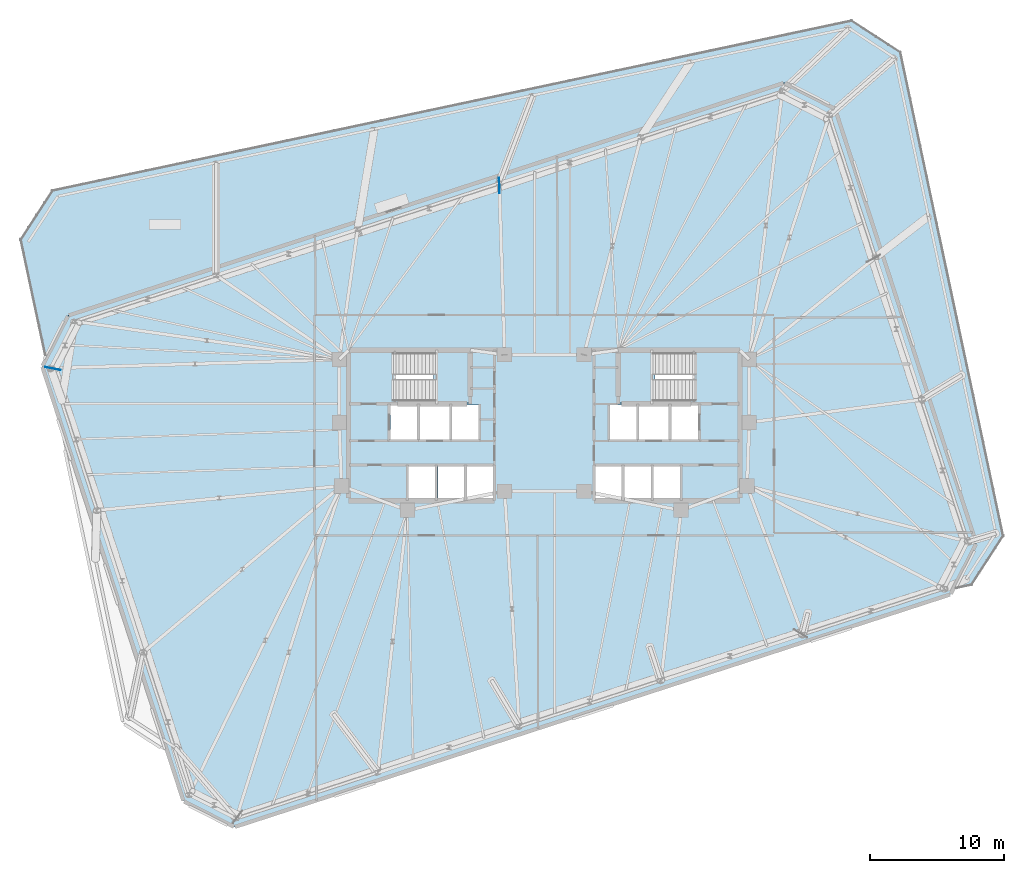
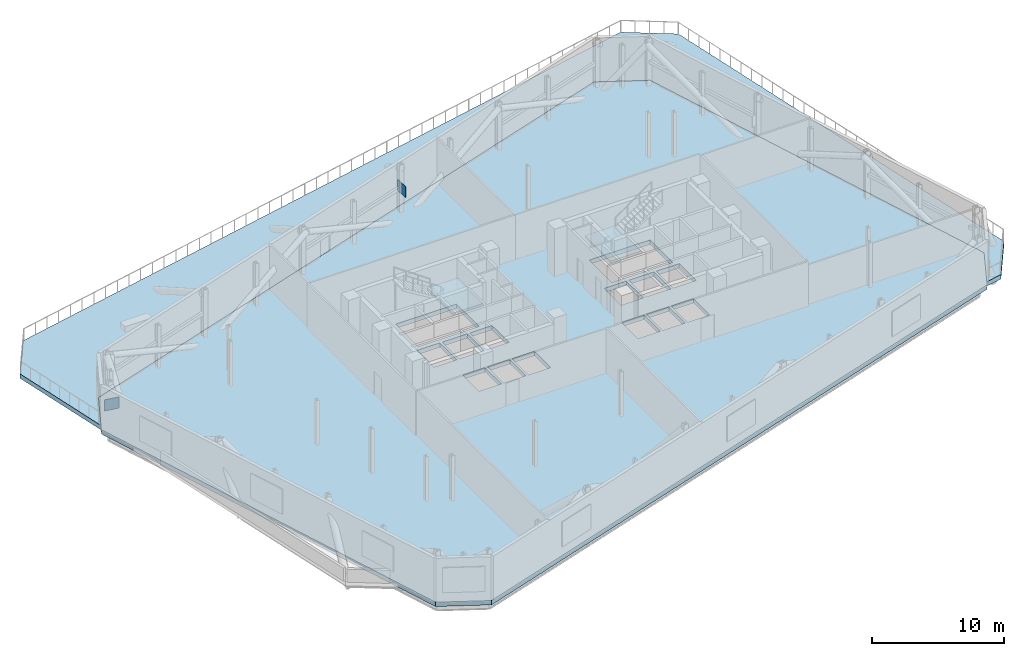
# One storey, part 11 of 16: 4 slabs, 2 plates, 2 elements without a shape of their own.
"""IFC4 building model written with IfcOpenShell, lengths in metres."""

from ifc_helpers import new_model, si_unit, direction, frame, origin, origin_2d, place, context, subcontext, project, spatial, polyline, rectangle, outline, extrude, material, layer, layer_set, type_object, element, aggregate, save


model = new_model("IFC4")

# Units and contexts
model_context = context("Model", 3, precision=1e-05, world=origin(), true_north=direction((0.0, 1.0)))
body_context = subcontext(model_context, "Body", "Model", "MODEL_VIEW")
ifc_project = project(units=[si_unit("LENGTHUNIT", "METRE"), si_unit("AREAUNIT", "SQUARE_METRE"), si_unit("VOLUMEUNIT", "CUBIC_METRE"), si_unit("PLANEANGLEUNIT", "RADIAN"), si_unit("MASSUNIT", "GRAM", prefix="KILO")], contexts=[model_context])

# Site, building, storey
site_placement = place(None, origin())
site = spatial("IfcSite", under=ifc_project, at=site_placement, CompositionType="ELEMENT")
building_placement = place(site_placement, origin())
building = spatial("IfcBuilding", under=site, at=building_placement, Name="Menara Jurai Vektor", CompositionType="ELEMENT")
storey_placement = place(building_placement, frame((0.0, 0.0, 202.39990234375)))
storey = spatial("IfcBuildingStorey", under=building, at=storey_placement, Name="L53", CompositionType="ELEMENT", Elevation=202.39990234375)

# Stair, slab
ifc_material_1 = material(Name="Concrete C40/50", Category="concrete")
stair_type = type_object("IfcStairType", Name="STAIR-DOGLEG-1500", PredefinedType="HALF_TURN_STAIR", material=ifc_material_1)
stair_1_placement = place(storey_placement, origin())
stair_1 = element("IfcStair", 1, at=stair_1_placement, inside=storey, type_object=stair_type, Name="Protected Exit Stair ST1 L53", PredefinedType="HALF_TURN_STAIR")
ifc_layer_1 = layer(ifc_material_1, 0.199951171875)
ifc_layer_set_1 = layer_set([ifc_layer_1], Name="Concrete C40/50")
slab_type_1 = type_object("IfcSlabType", Name="STAIR-LANDING-200", PredefinedType="LANDING", material=ifc_layer_set_1)
slab_1_placement = place(storey_placement, frame((0.0, 0.0, 2.0)))
slab_1 = element("IfcSlab", 2, at=slab_1_placement, type_object=slab_type_1, Name="ST1 landing 1", PredefinedType="LANDING", context=body_context, shape_type="SweptSolid", body=[
    extrude(outline(polyline([(-8.239990234375, 1.64990234375), (-5.550048828125, 1.64990234375), (-5.550048828125, 5.550048828125), (-8.239990234375, 5.550048828125), (-8.239990234375, 1.64990234375)])), origin(), (0.0, 0.0, 1.0), 0.2001953125),
])
aggregate(stair_1, [slab_1])

stair_2_placement = place(storey_placement, origin())
stair_2 = element("IfcStair", 3, at=stair_2_placement, inside=storey, type_object=stair_type, Name="Protected Exit Stair ST2 L53", PredefinedType="HALF_TURN_STAIR")
slab_2_placement = place(storey_placement, frame((0.0, 0.0, 2.0)))
slab_2 = element("IfcSlab", 4, at=slab_2_placement, type_object=slab_type_1, Name="ST2 landing 1", PredefinedType="LANDING", context=body_context, shape_type="SweptSolid", body=[
    extrude(outline(polyline([(5.550048828125, 1.64990234375), (8.239990234375, 1.64990234375), (8.239990234375, 5.550048828125), (5.550048828125, 5.550048828125), (5.550048828125, 1.64990234375)])), origin(), (0.0, 0.0, 1.0), 0.2001953125),
])
aggregate(stair_2, [slab_2])

# Plates
ifc_material_2 = material(Name="Steel S460", Category="steel")
ifc_layer_2 = layer(ifc_material_2, 0.031982421875)
ifc_layer_set_2 = layer_set([ifc_layer_2], Name="Steel S460")
plate_type = type_object("IfcPlateType", Name="STR-PLT-GUSSET32", PredefinedType="SHEET", material=ifc_layer_set_2)
for number, where, z_axis, x_axis, name in (
    (5, (-3.339599609375, 17.8388671875, 1.7001953125), (0.0, 0.0, 1.0), (0.036992537883, -0.999315541829, 0.0), "Transfer Truss Gusset Plate L53-13"),
    (6, (-36.54638671875, 4.220458984375, 1.7001953125), (0.0, 0.0, 1.0), (0.98258037664, -0.185838110843, 0.0), "Transfer Truss Gusset Plate L53-17"),
):
    element("IfcPlate", number, at=place(storey_placement, frame(where, z_axis=z_axis, x_axis=x_axis)), inside=storey, type_object=plate_type, Name=name, PredefinedType="SHEET", context=body_context, shape_type="SweptSolid", body=[
        extrude(rectangle(XDim=1.14990234375, YDim=0.031982421875, at=origin_2d()), origin(), (0.0, 0.0, 1.0), 1.0),
    ])

# Slabs
ifc_layer_3 = layer(ifc_material_1, 0.280029296875)
ifc_layer_set_3 = layer_set([ifc_layer_3], Name="Concrete C40/50")
slab_type_2 = type_object("IfcSlabType", Name="STR-ROOF-TER280", PredefinedType="ROOF", material=ifc_layer_set_3)
slab_3_placement = place(storey_placement, frame((0.0, 0.0, -0.40478515625)))
element("IfcSlab", 7, at=slab_3_placement, inside=storey, type_object=slab_type_2, Name="Spiral Step Terrace Roof Slab L53", PredefinedType="ROOF", context=body_context, shape_type="SweptSolid", body=[
    extrude(outline(polyline([(-37.089111328125, 4.873046875), (-35.409912109375, 8.168701171875), (17.84912109375, 25.4736328125), (21.62939453125, 23.547607421875), (32.135986328125, -8.788330078125), (30.392578125, -12.2099609375), (31.805908203125, -11.90966796875), (34.193603515625, -8.23291015625), (26.54248046875, 27.762939453125), (22.865478515625, 30.150634765625), (-36.605712890625, 17.509765625), (-38.993408203125, 13.8330078125), (-37.089111328125, 4.873046875)])), origin(), (0.0, 0.0, 1.0), 0.40478515625),
])
ifc_material_3 = material(Name="Concrete C50/60", Category="concrete")
ifc_layer_4 = layer(ifc_material_3, 0.405029296875)
ifc_layer_set_4 = layer_set([ifc_layer_4], Name="Concrete C50/60")
slab_type_3 = type_object("IfcSlabType", Name="STR-SLAB-TR405", PredefinedType="FLOOR", material=ifc_layer_set_4)
slab_4_placement = place(storey_placement, frame((0.0, 0.0, -0.40478515625)))
element("IfcSlab", 8, at=slab_4_placement, inside=storey, type_object=slab_type_3, Name="Composite Floor Slab L53", PredefinedType="FLOOR", context=body_context, shape_type="SweptSolid", body=[
    extrude(outline(polyline([(-23.04931640625, -29.87353515625), (30.2099609375, -12.568603515625), (32.135986328125, -8.788330078125), (21.62939453125, 23.547607421875), (17.84912109375, 25.4736328125), (-35.409912109375, 8.168701171875), (-37.3359375, 4.388427734375), (-26.82958984375, -27.947509765625), (-23.04931640625, -29.87353515625)]), holes=[polyline([(-11.10009765625, 1.89990234375), (-11.10009765625, 5.300048828125), (-5.800048828125, 5.300048828125), (-5.800048828125, 1.89990234375), (-11.10009765625, 1.89990234375)]), polyline([(5.800048828125, 1.89990234375), (5.800048828125, 5.300048828125), (11.10009765625, 5.300048828125), (11.10009765625, 1.89990234375), (5.800048828125, 1.89990234375)]), polyline([(-11.449951171875, -1.050048828125), (-11.449951171875, 1.5), (-9.449951171875, 1.5), (-9.449951171875, -1.050048828125), (-11.449951171875, -1.050048828125)]), polyline([(9.449951171875, -1.050048828125), (9.449951171875, 1.5), (11.449951171875, 1.5), (11.449951171875, -1.050048828125), (9.449951171875, -1.050048828125)]), polyline([(-5.760009765625, -5.5), (-5.760009765625, -3.050048828125), (-3.800048828125, -3.050048828125), (-3.800048828125, -5.5), (-5.760009765625, -5.5)]), polyline([(-6.85009765625, -1.050048828125), (-6.85009765625, 1.5), (-4.889892578125, 1.5), (-4.889892578125, -1.050048828125), (-6.85009765625, -1.050048828125)]), polyline([(3.800048828125, -5.5), (3.800048828125, -3.050048828125), (5.760009765625, -3.050048828125), (5.760009765625, -5.5), (3.800048828125, -5.5)]), polyline([(4.889892578125, -1.050048828125), (4.889892578125, 1.5), (6.85009765625, 1.5), (6.85009765625, -1.050048828125), (4.889892578125, -1.050048828125)]), polyline([(-10.080078125, -5.5), (-10.080078125, -3.050048828125), (-8.1201171875, -3.050048828125), (-8.1201171875, -5.5), (-10.080078125, -5.5)]), polyline([(-7.919921875, -5.5), (-7.919921875, -3.050048828125), (-5.9599609375, -3.050048828125), (-5.9599609375, -5.5), (-7.919921875, -5.5)]), polyline([(5.9599609375, -5.5), (5.9599609375, -3.050048828125), (7.919921875, -3.050048828125), (7.919921875, -5.5), (5.9599609375, -5.5)]), polyline([(8.1201171875, -5.5), (8.1201171875, -3.050048828125), (10.080078125, -3.050048828125), (10.080078125, -5.5), (8.1201171875, -5.5)]), polyline([(-9.25, -1.050048828125), (-9.25, 1.5), (-7.050048828125, 1.5), (-7.050048828125, -1.050048828125), (-9.25, -1.050048828125)]), polyline([(7.050048828125, -1.050048828125), (7.050048828125, 1.5), (9.25, 1.5), (9.25, -1.050048828125), (7.050048828125, -1.050048828125)])]), origin(), (0.0, 0.0, 1.0), 0.40478515625),
])

save(model, "model.ifc")
